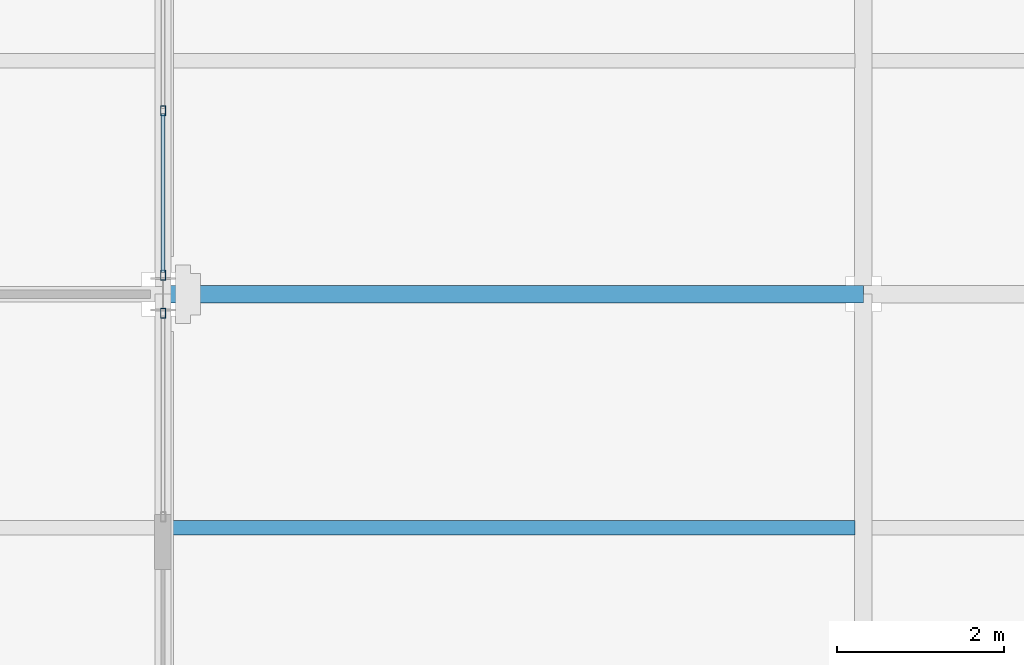
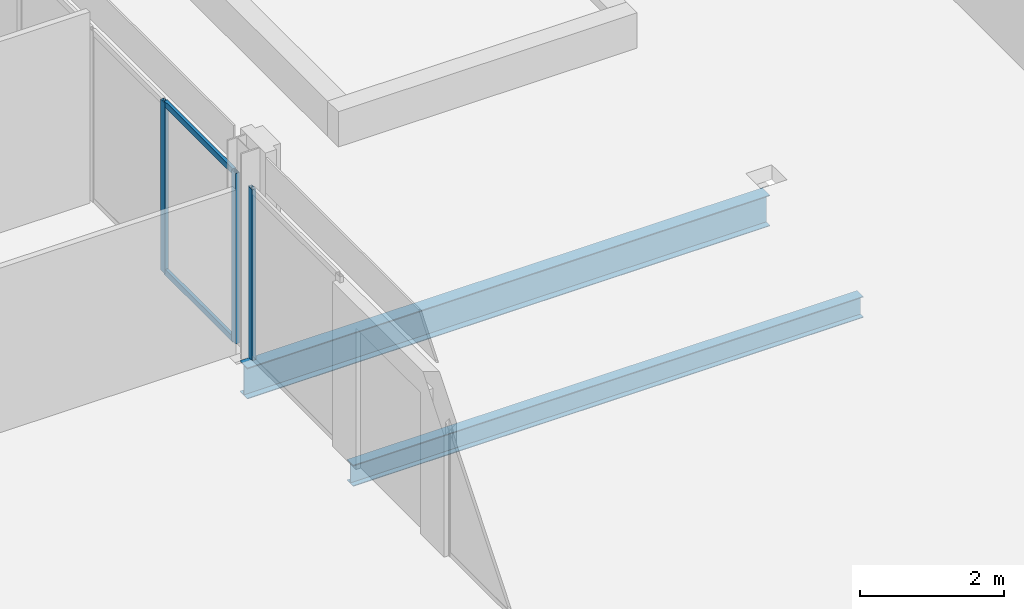
# One storey, part 18 of 32: 5 members, 2 beams, 2 elements without a shape of their own.
"""IFC4 building model written with IfcOpenShell, lengths in metres."""

from ifc_helpers import new_model, si_unit, direction, frame, origin, origin_2d, place, context, subcontext, project, spatial, hollow_rectangle, i_section, extrude, material, material_profile, profile_set, type_object, element, aggregate, save


model = new_model("IFC4")

# Units and contexts
model_context = context("Model", 3, precision=1e-05, world=origin(), true_north=direction((0.0, 1.0)))
body_context = subcontext(model_context, "Body", "Model", "MODEL_VIEW")
ifc_project = project(units=[si_unit("LENGTHUNIT", "METRE"), si_unit("AREAUNIT", "SQUARE_METRE"), si_unit("VOLUMEUNIT", "CUBIC_METRE"), si_unit("PLANEANGLEUNIT", "RADIAN"), si_unit("MASSUNIT", "GRAM", prefix="KILO")], contexts=[model_context])

# Site, building, storey
site_placement = place(None, origin())
site = spatial("IfcSite", under=ifc_project, at=site_placement, CompositionType="ELEMENT")
building_placement = place(site_placement, origin())
building = spatial("IfcBuilding", under=site, at=building_placement, Name="Catenary Quay Ferry Terminal", CompositionType="ELEMENT")
storey_placement = place(building_placement, frame((0.0, 0.0, 17.10009765625)))
storey = spatial("IfcBuildingStorey", under=building, at=storey_placement, Name="L03", CompositionType="ELEMENT", Elevation=17.10009765625)

# Beams
ifc_material_1 = material(Name="Steel S355", Category="steel")
ifc_material_profile_1 = material_profile(ifc_material_1, i_section(OverallWidth=0.208740234375, OverallDepth=0.5283203125, WebThickness=0.009521484375, FlangeThickness=0.01318359375, at=origin_2d()), Name="UB 533x210x82")
ifc_profile_set_1 = profile_set([ifc_material_profile_1], Name="Steel S355")
beam_type_1 = type_object("IfcBeamType", Name="B5 UB 533x210x82", PredefinedType="BEAM", material=ifc_profile_set_1)
beam_1_placement = place(storey_placement, frame((50.39990234375, 193.199951171875, -0.51416015625), z_axis=(1.0, 0.0, 0.0), x_axis=(0.0, 1.0, 0.0)))
element("IfcBeam", 1, at=beam_1_placement, inside=storey, type_object=beam_type_1, Name="Beam B5-009", PredefinedType="BEAM", context=body_context, shape_type="SweptSolid", body=[
    extrude(i_section(OverallWidth=0.208740234375, OverallDepth=0.5283203125, WebThickness=0.009521484375, FlangeThickness=0.01318359375, at=origin_2d()), origin(), (0.0, 0.0, 1.0), 8.400146484375),
])
ifc_material_2 = material(Name="Steel S355", Category="steel")
ifc_material_profile_2 = material_profile(ifc_material_2, i_section(OverallWidth=0.169921875, OverallDepth=0.360107421875, WebThickness=0.008056640625, FlangeThickness=0.0126953125, at=origin_2d()), Name="IPE 360")
ifc_profile_set_2 = profile_set([ifc_material_profile_2], Name="Steel S355")
beam_type_2 = type_object("IfcBeamType", Name="B7 IPE 360", PredefinedType="BEAM", material=ifc_profile_set_2)
beam_2_placement = place(storey_placement, frame((50.4951171875, 190.39990234375, -0.43017578125), z_axis=(1.0, 0.0, 0.0), x_axis=(0.0, 1.0, 0.0)))
element("IfcBeam", 2, at=beam_2_placement, inside=storey, type_object=beam_type_2, Name="Beam B7-015", PredefinedType="BEAM", context=body_context, shape_type="SweptSolid", body=[
    extrude(i_section(OverallWidth=0.169921875, OverallDepth=0.360107421875, WebThickness=0.008056640625, FlangeThickness=0.0126953125, at=origin_2d()), origin(), (0.0, 0.0, 1.0), 8.200927734375),
])

# Curtain wall, member
ifc_material_3 = material(Name="Aluminium and glass", Category="aluminium")
curtain_wall_type = type_object("IfcCurtainWallType", Name="CWW3", PredefinedType="NOTDEFINED", material=ifc_material_3)
curtain_wall_1_placement = place(storey_placement, origin())
curtain_wall_1 = element("IfcCurtainWall", 3, at=curtain_wall_1_placement, inside=storey, type_object=curtain_wall_type, Name="Wing curtain wall CW148", PredefinedType="NOTDEFINED")
ifc_material_4 = material(Name="Aluminium", Category="aluminium")
ifc_material_profile_3 = material_profile(ifc_material_4, hollow_rectangle(XDim=0.06005859375, YDim=0.1201171875, WallThickness=0.0048828125, at=origin_2d()), Name="MU4")
ifc_profile_set_3 = profile_set([ifc_material_profile_3], Name="Aluminium")
member_type_1 = type_object("IfcMemberType", Name="MU4", PredefinedType="MULLION", material=ifc_profile_set_3)
member_1_placement = place(storey_placement, frame((50.39990234375, 192.969970703125, 0.0), z_axis=(0.0, 0.0, 1.0), x_axis=(-1.0, 0.0, 0.0)))
member_1 = element("IfcMember", 4, at=member_1_placement, type_object=member_type_1, Name="CW148 mullion 2", PredefinedType="MULLION", context=body_context, shape_type="SweptSolid", body=[
    extrude(hollow_rectangle(XDim=0.06005859375, YDim=0.1201171875, WallThickness=0.0048828125, at=origin_2d()), origin(), (0.0, 0.0, 1.0), 2.89990234375),
])
aggregate(curtain_wall_1, [member_1])

# Curtain wall, members
curtain_wall_2_placement = place(storey_placement, origin())
curtain_wall_2 = element("IfcCurtainWall", 5, at=curtain_wall_2_placement, inside=storey, type_object=curtain_wall_type, Name="Wing curtain wall CW149", PredefinedType="NOTDEFINED")
member_2_placement = place(storey_placement, frame((50.39990234375, 193.429931640625, 0.0), z_axis=(0.0, 0.0, 1.0), x_axis=(-1.0, 0.0, 0.0)))
member_2 = element("IfcMember", 6, at=member_2_placement, type_object=member_type_1, Name="CW149 mullion 1", PredefinedType="MULLION", context=body_context, shape_type="SweptSolid", body=[
    extrude(hollow_rectangle(XDim=0.06005859375, YDim=0.1201171875, WallThickness=0.0048828125, at=origin_2d()), origin(), (0.0, 0.0, 1.0), 2.89990234375),
])
member_3_placement = place(storey_placement, frame((50.39990234375, 195.39990234375, 0.0), z_axis=(0.0, 0.0, 1.0), x_axis=(-1.0, 0.0, 0.0)))
member_3 = element("IfcMember", 7, at=member_3_placement, type_object=member_type_1, Name="CW149 mullion 2", PredefinedType="MULLION", context=body_context, shape_type="SweptSolid", body=[
    extrude(hollow_rectangle(XDim=0.06005859375, YDim=0.1201171875, WallThickness=0.0048828125, at=origin_2d()), origin(), (0.0, 0.0, 1.0), 2.89990234375),
])
ifc_material_5 = material(Name="Aluminium", Category="aluminium")
ifc_material_profile_4 = material_profile(ifc_material_5, hollow_rectangle(XDim=0.050048828125, YDim=0.10009765625, WallThickness=0.00390625, at=origin_2d()), Name="TR4")
ifc_profile_set_4 = profile_set([ifc_material_profile_4], Name="Aluminium")
member_type_2 = type_object("IfcMemberType", Name="TR4", PredefinedType="USERDEFINED", material=ifc_profile_set_4)
member_4_placement = place(storey_placement, frame((50.39990234375, 193.4599609375, 0.02490234375), z_axis=(0.0, 1.0, 0.0), x_axis=(-1.0, 0.0, 0.0)))
member_4 = element("IfcMember", 8, at=member_4_placement, type_object=member_type_2, Name="CW149 transom 1.1", ObjectType="TRANSOM", PredefinedType="USERDEFINED", context=body_context, shape_type="SweptSolid", body=[
    extrude(hollow_rectangle(XDim=0.050048828125, YDim=0.10009765625, WallThickness=0.00390625, at=origin_2d()), origin(), (0.0, 0.0, 1.0), 1.91015625),
])
member_5_placement = place(storey_placement, frame((50.39990234375, 193.4599609375, 2.875), z_axis=(0.0, 1.0, 0.0), x_axis=(-1.0, 0.0, 0.0)))
member_5 = element("IfcMember", 9, at=member_5_placement, type_object=member_type_2, Name="CW149 transom 1.2", ObjectType="TRANSOM", PredefinedType="USERDEFINED", context=body_context, shape_type="SweptSolid", body=[
    extrude(hollow_rectangle(XDim=0.050048828125, YDim=0.10009765625, WallThickness=0.00390625, at=origin_2d()), origin(), (0.0, 0.0, 1.0), 1.91015625),
])
aggregate(curtain_wall_2, [member_2, member_3, member_4, member_5])

save(model, "model.ifc")
